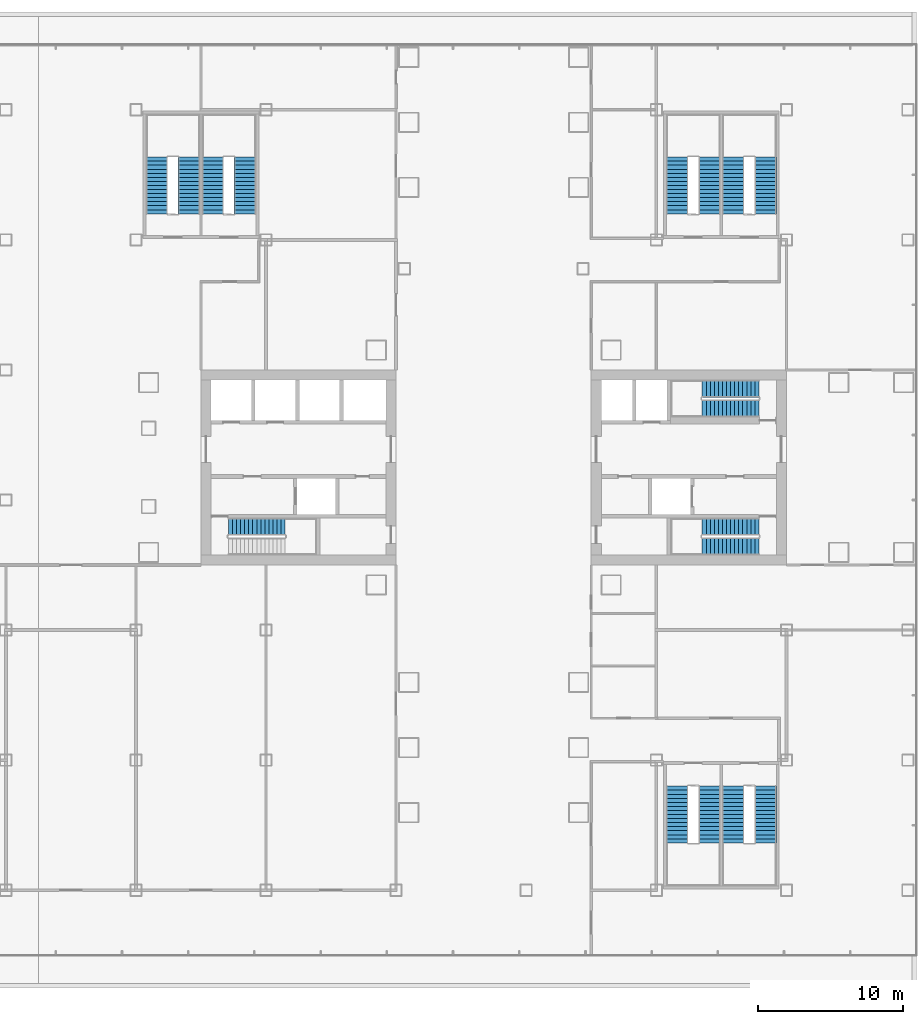
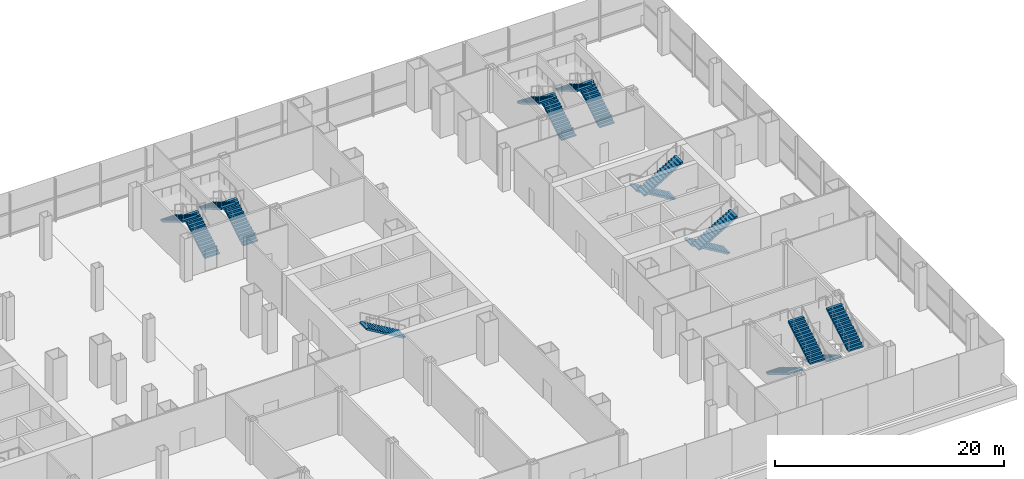
# One storey, part 28 of 33: 17 stair flights, 9 elements without a shape of their own.
"""IFC4 building model written with IfcOpenShell, lengths in metres."""

from ifc_helpers import new_model, si_unit, direction, frame, origin, place, context, subcontext, project, spatial, polyline, outline, extrude, material, type_object, element, aggregate, save


model = new_model("IFC4")

# Units and contexts
model_context = context("Model", 3, precision=1e-05, world=origin(), true_north=direction((0.0, 1.0)))
body_context = subcontext(model_context, "Body", "Model", "MODEL_VIEW")
ifc_project = project(units=[si_unit("LENGTHUNIT", "METRE"), si_unit("AREAUNIT", "SQUARE_METRE"), si_unit("VOLUMEUNIT", "CUBIC_METRE"), si_unit("PLANEANGLEUNIT", "RADIAN"), si_unit("MASSUNIT", "GRAM", prefix="KILO")], contexts=[model_context])

# Site, building, storey
site_placement = place(None, origin())
site = spatial("IfcSite", under=ifc_project, at=site_placement, CompositionType="ELEMENT")
building_placement = place(site_placement, origin())
building = spatial("IfcBuilding", under=site, at=building_placement, Name="Shamsa Quay Exchange Towers", CompositionType="ELEMENT")
storey_placement = place(building_placement, frame((0.0, 0.0, 18.5)))
storey = spatial("IfcBuildingStorey", under=building, at=storey_placement, Name="L03", CompositionType="ELEMENT", Elevation=18.5)

# Stair, stair flight
ifc_material = material(Name="Concrete C40/50", Category="concrete")
stair_type_1 = type_object("IfcStairType", Name="EXIT STAIR 30 RISERS 167 MM", PredefinedType="HALF_TURN_STAIR", material=ifc_material)
stair_1_placement = place(storey_placement, origin())
stair_1 = element("IfcStair", 1, at=stair_1_placement, inside=storey, type_object=stair_type_1, Name="L03 Exit stair ST4", PredefinedType="HALF_TURN_STAIR")
stair_flight_type_1 = type_object("IfcStairFlightType", Name="EXIT STAIR FLIGHT 15 RISERS 167 MM", PredefinedType="STRAIGHT", material=ifc_material)
stair_flight_1_placement = place(storey_placement, frame((19.320068359375, -4.10009765625, 2.5), z_axis=(0.0, 0.0, 1.0), x_axis=(-1.0, 0.0, 0.0)))
stair_flight_1 = element("IfcStairFlight", 2, at=stair_flight_1_placement, type_object=stair_flight_type_1, Name="ST4 flight 2", NumberOfRisers=15, NumberOfTreads=14, PredefinedType="STRAIGHT", RiserHeight=0.166666667, TreadLength=0.28, context=body_context, shape_type="SweptSolid", body=[
    extrude(outline(polyline([(0.0, 0.0), (0.0, 0.166748046875), (0.280029296875, 0.166748046875), (0.280029296875, 0.333251953125), (0.56005859375, 0.333251953125), (0.56005859375, 0.5), (0.840087890625, 0.5), (0.840087890625, 0.666748046875), (1.1201171875, 0.666748046875), (1.1201171875, 0.833251953125), (1.39990234375, 0.833251953125), (1.39990234375, 1.0), (1.679931640625, 1.0), (1.679931640625, 1.166748046875), (1.9599609375, 1.166748046875), (1.9599609375, 1.333251953125), (2.239990234375, 1.333251953125), (2.239990234375, 1.5), (2.52001953125, 1.5), (2.52001953125, 1.666748046875), (2.800048828125, 1.666748046875), (2.800048828125, 1.833251953125), (3.080078125, 1.833251953125), (3.080078125, 2.0), (3.360107421875, 2.0), (3.360107421875, 2.166748046875), (3.639892578125, 2.166748046875), (3.639892578125, 2.333251953125), (3.919921875, 2.333251953125), (3.919921875, 2.5), (3.919921875, 2.170654296875), (0.2734375, 0.0), (0.0, 0.0)])), frame((0.0, 0.60009765625, 0.0), z_axis=(0.0, -1.0, 0.0), x_axis=(1.0, 0.0, 0.0)), (0.0, 0.0, 1.0), 1.199951171875),
])
aggregate(stair_1, [stair_flight_1])

# Stair, stair flights
stair_2_placement = place(storey_placement, origin())
stair_2 = element("IfcStair", 3, at=stair_2_placement, inside=storey, type_object=stair_type_1, Name="L03 Exit stair ST5", PredefinedType="HALF_TURN_STAIR")
stair_flight_2_placement = place(storey_placement, frame((52.10009765625, -4.10009765625, 0.0), z_axis=(0.0, 0.0, 1.0), x_axis=(-1.0, 0.0, 0.0)))
stair_flight_2 = element("IfcStairFlight", 4, at=stair_flight_2_placement, type_object=stair_flight_type_1, Name="ST5 flight 1", NumberOfRisers=15, NumberOfTreads=14, PredefinedType="STRAIGHT", RiserHeight=0.166666667, TreadLength=0.28, context=body_context, shape_type="SweptSolid", body=[
    extrude(outline(polyline([(0.0, 0.0), (0.0, 0.166748046875), (0.280029296875, 0.166748046875), (0.280029296875, 0.333251953125), (0.56005859375, 0.333251953125), (0.56005859375, 0.5), (0.840087890625, 0.5), (0.840087890625, 0.666748046875), (1.1201171875, 0.666748046875), (1.1201171875, 0.833251953125), (1.39990234375, 0.833251953125), (1.39990234375, 1.0), (1.679931640625, 1.0), (1.679931640625, 1.166748046875), (1.9599609375, 1.166748046875), (1.9599609375, 1.333251953125), (2.239990234375, 1.333251953125), (2.239990234375, 1.5), (2.52001953125, 1.5), (2.52001953125, 1.666748046875), (2.800048828125, 1.666748046875), (2.800048828125, 1.833251953125), (3.080078125, 1.833251953125), (3.080078125, 2.0), (3.360107421875, 2.0), (3.360107421875, 2.166748046875), (3.639892578125, 2.166748046875), (3.639892578125, 2.333251953125), (3.919921875, 2.333251953125), (3.919921875, 2.5), (3.919921875, 2.170654296875), (0.2734375, 0.0), (0.0, 0.0)])), frame((0.0, 0.60009765625, 0.0), z_axis=(0.0, -1.0, 0.0), x_axis=(1.0, 0.0, 0.0)), (0.0, 0.0, 1.0), 1.199951171875),
])
stair_flight_3_placement = place(storey_placement, frame((48.179931640625, -5.449951171875, 2.5)))
stair_flight_3 = element("IfcStairFlight", 5, at=stair_flight_3_placement, type_object=stair_flight_type_1, Name="ST5 flight 2", NumberOfRisers=15, NumberOfTreads=14, PredefinedType="STRAIGHT", RiserHeight=0.166666667, TreadLength=0.28, context=body_context, shape_type="SweptSolid", body=[
    extrude(outline(polyline([(0.0, 0.0), (0.0, 0.166748046875), (0.280029296875, 0.166748046875), (0.280029296875, 0.333251953125), (0.56005859375, 0.333251953125), (0.56005859375, 0.5), (0.840087890625, 0.5), (0.840087890625, 0.666748046875), (1.1201171875, 0.666748046875), (1.1201171875, 0.833251953125), (1.39990234375, 0.833251953125), (1.39990234375, 1.0), (1.679931640625, 1.0), (1.679931640625, 1.166748046875), (1.9599609375, 1.166748046875), (1.9599609375, 1.333251953125), (2.239990234375, 1.333251953125), (2.239990234375, 1.5), (2.52001953125, 1.5), (2.52001953125, 1.666748046875), (2.800048828125, 1.666748046875), (2.800048828125, 1.833251953125), (3.080078125, 1.833251953125), (3.080078125, 2.0), (3.360107421875, 2.0), (3.360107421875, 2.166748046875), (3.639892578125, 2.166748046875), (3.639892578125, 2.333251953125), (3.919921875, 2.333251953125), (3.919921875, 2.5), (3.919921875, 2.170654296875), (0.2734375, 0.0), (0.0, 0.0)])), frame((0.0, 0.60009765625, 0.0), z_axis=(0.0, -1.0, 0.0), x_axis=(1.0, 0.0, 0.0)), (0.0, 0.0, 1.0), 1.199951171875),
])
aggregate(stair_2, [stair_flight_2, stair_flight_3])

stair_3_placement = place(storey_placement, origin())
stair_3 = element("IfcStair", 6, at=stair_3_placement, inside=storey, type_object=stair_type_1, Name="L03 Exit stair ST6", PredefinedType="HALF_TURN_STAIR")
stair_flight_4_placement = place(storey_placement, frame((52.10009765625, 5.449951171875, 0.0), z_axis=(0.0, 0.0, 1.0), x_axis=(-1.0, 0.0, 0.0)))
stair_flight_4 = element("IfcStairFlight", 7, at=stair_flight_4_placement, type_object=stair_flight_type_1, Name="ST6 flight 1", NumberOfRisers=15, NumberOfTreads=14, PredefinedType="STRAIGHT", RiserHeight=0.166666667, TreadLength=0.28, context=body_context, shape_type="SweptSolid", body=[
    extrude(outline(polyline([(0.0, 0.0), (0.0, 0.166748046875), (0.280029296875, 0.166748046875), (0.280029296875, 0.333251953125), (0.56005859375, 0.333251953125), (0.56005859375, 0.5), (0.840087890625, 0.5), (0.840087890625, 0.666748046875), (1.1201171875, 0.666748046875), (1.1201171875, 0.833251953125), (1.39990234375, 0.833251953125), (1.39990234375, 1.0), (1.679931640625, 1.0), (1.679931640625, 1.166748046875), (1.9599609375, 1.166748046875), (1.9599609375, 1.333251953125), (2.239990234375, 1.333251953125), (2.239990234375, 1.5), (2.52001953125, 1.5), (2.52001953125, 1.666748046875), (2.800048828125, 1.666748046875), (2.800048828125, 1.833251953125), (3.080078125, 1.833251953125), (3.080078125, 2.0), (3.360107421875, 2.0), (3.360107421875, 2.166748046875), (3.639892578125, 2.166748046875), (3.639892578125, 2.333251953125), (3.919921875, 2.333251953125), (3.919921875, 2.5), (3.919921875, 2.170654296875), (0.2734375, 0.0), (0.0, 0.0)])), frame((0.0, 0.60009765625, 0.0), z_axis=(0.0, -1.0, 0.0), x_axis=(1.0, 0.0, 0.0)), (0.0, 0.0, 1.0), 1.199951171875),
])
stair_flight_5_placement = place(storey_placement, frame((48.179931640625, 4.10009765625, 2.5)))
stair_flight_5 = element("IfcStairFlight", 8, at=stair_flight_5_placement, type_object=stair_flight_type_1, Name="ST6 flight 2", NumberOfRisers=15, NumberOfTreads=14, PredefinedType="STRAIGHT", RiserHeight=0.166666667, TreadLength=0.28, context=body_context, shape_type="SweptSolid", body=[
    extrude(outline(polyline([(0.0, 0.0), (0.0, 0.166748046875), (0.280029296875, 0.166748046875), (0.280029296875, 0.333251953125), (0.56005859375, 0.333251953125), (0.56005859375, 0.5), (0.840087890625, 0.5), (0.840087890625, 0.666748046875), (1.1201171875, 0.666748046875), (1.1201171875, 0.833251953125), (1.39990234375, 0.833251953125), (1.39990234375, 1.0), (1.679931640625, 1.0), (1.679931640625, 1.166748046875), (1.9599609375, 1.166748046875), (1.9599609375, 1.333251953125), (2.239990234375, 1.333251953125), (2.239990234375, 1.5), (2.52001953125, 1.5), (2.52001953125, 1.666748046875), (2.800048828125, 1.666748046875), (2.800048828125, 1.833251953125), (3.080078125, 1.833251953125), (3.080078125, 2.0), (3.360107421875, 2.0), (3.360107421875, 2.166748046875), (3.639892578125, 2.166748046875), (3.639892578125, 2.333251953125), (3.919921875, 2.333251953125), (3.919921875, 2.5), (3.919921875, 2.170654296875), (0.2734375, 0.0), (0.0, 0.0)])), frame((0.0, 0.60009765625, 0.0), z_axis=(0.0, -1.0, 0.0), x_axis=(1.0, 0.0, 0.0)), (0.0, 0.0, 1.0), 1.199951171875),
])
aggregate(stair_3, [stair_flight_4, stair_flight_5])

stair_type_2 = type_object("IfcStairType", Name="PODIUM EXIT STAIR 30 RISERS 167 MM 1500 WIDE", PredefinedType="HALF_TURN_STAIR", material=ifc_material)
stair_4_placement = place(storey_placement, origin())
stair_4 = element("IfcStair", 9, at=stair_4_placement, inside=storey, type_object=stair_type_2, Name="L03 Exit stair PS3A", PredefinedType="HALF_TURN_STAIR")
stair_flight_type_2 = type_object("IfcStairFlightType", Name="PODIUM EXIT STAIR FLIGHT 15 RISERS 167 MM 1500 WIDE", PredefinedType="STRAIGHT", material=ifc_material)
stair_flight_6_placement = place(storey_placement, frame((12.675048828125, 17.550048828125, 0.0), z_axis=(0.0, 0.0, 1.0), x_axis=(0.0, 1.0, 0.0)))
stair_flight_6 = element("IfcStairFlight", 10, at=stair_flight_6_placement, type_object=stair_flight_type_2, Name="PS3A flight 1", NumberOfRisers=15, NumberOfTreads=14, PredefinedType="STRAIGHT", RiserHeight=0.166666667, TreadLength=0.28, context=body_context, shape_type="SweptSolid", body=[
    extrude(outline(polyline([(0.0, 0.0), (0.0, 0.166748046875), (0.280029296875, 0.166748046875), (0.280029296875, 0.333251953125), (0.56005859375, 0.333251953125), (0.56005859375, 0.5), (0.840087890625, 0.5), (0.840087890625, 0.666748046875), (1.1201171875, 0.666748046875), (1.1201171875, 0.833251953125), (1.39990234375, 0.833251953125), (1.39990234375, 1.0), (1.679931640625, 1.0), (1.679931640625, 1.166748046875), (1.9599609375, 1.166748046875), (1.9599609375, 1.333251953125), (2.239990234375, 1.333251953125), (2.239990234375, 1.5), (2.52001953125, 1.5), (2.52001953125, 1.666748046875), (2.800048828125, 1.666748046875), (2.800048828125, 1.833251953125), (3.080078125, 1.833251953125), (3.080078125, 2.0), (3.360107421875, 2.0), (3.360107421875, 2.166748046875), (3.639892578125, 2.166748046875), (3.639892578125, 2.333251953125), (3.919921875, 2.333251953125), (3.919921875, 2.5), (3.919921875, 2.158935546875), (0.29296875, 0.0), (0.0, 0.0)])), frame((0.0, 0.75, 0.0), z_axis=(0.0, -1.0, 0.0), x_axis=(1.0, 0.0, 0.0)), (0.0, 0.0, 1.0), 1.5),
])
stair_flight_7_placement = place(storey_placement, frame((10.449951171875, 21.469970703125, 2.5), z_axis=(0.0, 0.0, 1.0), x_axis=(0.0, -1.0, 0.0)))
stair_flight_7 = element("IfcStairFlight", 11, at=stair_flight_7_placement, type_object=stair_flight_type_2, Name="PS3A flight 2", NumberOfRisers=15, NumberOfTreads=14, PredefinedType="STRAIGHT", RiserHeight=0.166666667, TreadLength=0.28, context=body_context, shape_type="SweptSolid", body=[
    extrude(outline(polyline([(0.0, 0.0), (0.0, 0.166748046875), (0.280029296875, 0.166748046875), (0.280029296875, 0.333251953125), (0.56005859375, 0.333251953125), (0.56005859375, 0.5), (0.840087890625, 0.5), (0.840087890625, 0.666748046875), (1.1201171875, 0.666748046875), (1.1201171875, 0.833251953125), (1.39990234375, 0.833251953125), (1.39990234375, 1.0), (1.679931640625, 1.0), (1.679931640625, 1.166748046875), (1.9599609375, 1.166748046875), (1.9599609375, 1.333251953125), (2.239990234375, 1.333251953125), (2.239990234375, 1.5), (2.52001953125, 1.5), (2.52001953125, 1.666748046875), (2.800048828125, 1.666748046875), (2.800048828125, 1.833251953125), (3.080078125, 1.833251953125), (3.080078125, 2.0), (3.360107421875, 2.0), (3.360107421875, 2.166748046875), (3.639892578125, 2.166748046875), (3.639892578125, 2.333251953125), (3.919921875, 2.333251953125), (3.919921875, 2.5), (3.919921875, 2.158935546875), (0.29296875, 0.0), (0.0, 0.0)])), frame((0.0, 0.75, 0.0), z_axis=(0.0, -1.0, 0.0), x_axis=(1.0, 0.0, 0.0)), (0.0, 0.0, 1.0), 1.5),
])
aggregate(stair_4, [stair_flight_6, stair_flight_7])

stair_5_placement = place(storey_placement, origin())
stair_5 = element("IfcStair", 12, at=stair_5_placement, inside=storey, type_object=stair_type_2, Name="L03 Exit stair PS3B", PredefinedType="HALF_TURN_STAIR")
stair_flight_8_placement = place(storey_placement, frame((16.550048828125, 17.550048828125, 0.0), z_axis=(0.0, 0.0, 1.0), x_axis=(0.0, 1.0, 0.0)))
stair_flight_8 = element("IfcStairFlight", 13, at=stair_flight_8_placement, type_object=stair_flight_type_2, Name="PS3B flight 1", NumberOfRisers=15, NumberOfTreads=14, PredefinedType="STRAIGHT", RiserHeight=0.166666667, TreadLength=0.28, context=body_context, shape_type="SweptSolid", body=[
    extrude(outline(polyline([(0.0, 0.0), (0.0, 0.166748046875), (0.280029296875, 0.166748046875), (0.280029296875, 0.333251953125), (0.56005859375, 0.333251953125), (0.56005859375, 0.5), (0.840087890625, 0.5), (0.840087890625, 0.666748046875), (1.1201171875, 0.666748046875), (1.1201171875, 0.833251953125), (1.39990234375, 0.833251953125), (1.39990234375, 1.0), (1.679931640625, 1.0), (1.679931640625, 1.166748046875), (1.9599609375, 1.166748046875), (1.9599609375, 1.333251953125), (2.239990234375, 1.333251953125), (2.239990234375, 1.5), (2.52001953125, 1.5), (2.52001953125, 1.666748046875), (2.800048828125, 1.666748046875), (2.800048828125, 1.833251953125), (3.080078125, 1.833251953125), (3.080078125, 2.0), (3.360107421875, 2.0), (3.360107421875, 2.166748046875), (3.639892578125, 2.166748046875), (3.639892578125, 2.333251953125), (3.919921875, 2.333251953125), (3.919921875, 2.5), (3.919921875, 2.158935546875), (0.29296875, 0.0), (0.0, 0.0)])), frame((0.0, 0.75, 0.0), z_axis=(0.0, -1.0, 0.0), x_axis=(1.0, 0.0, 0.0)), (0.0, 0.0, 1.0), 1.5),
])
stair_flight_9_placement = place(storey_placement, frame((14.324951171875, 21.469970703125, 2.5), z_axis=(0.0, 0.0, 1.0), x_axis=(0.0, -1.0, 0.0)))
stair_flight_9 = element("IfcStairFlight", 14, at=stair_flight_9_placement, type_object=stair_flight_type_2, Name="PS3B flight 2", NumberOfRisers=15, NumberOfTreads=14, PredefinedType="STRAIGHT", RiserHeight=0.166666667, TreadLength=0.28, context=body_context, shape_type="SweptSolid", body=[
    extrude(outline(polyline([(0.0, 0.0), (0.0, 0.166748046875), (0.280029296875, 0.166748046875), (0.280029296875, 0.333251953125), (0.56005859375, 0.333251953125), (0.56005859375, 0.5), (0.840087890625, 0.5), (0.840087890625, 0.666748046875), (1.1201171875, 0.666748046875), (1.1201171875, 0.833251953125), (1.39990234375, 0.833251953125), (1.39990234375, 1.0), (1.679931640625, 1.0), (1.679931640625, 1.166748046875), (1.9599609375, 1.166748046875), (1.9599609375, 1.333251953125), (2.239990234375, 1.333251953125), (2.239990234375, 1.5), (2.52001953125, 1.5), (2.52001953125, 1.666748046875), (2.800048828125, 1.666748046875), (2.800048828125, 1.833251953125), (3.080078125, 1.833251953125), (3.080078125, 2.0), (3.360107421875, 2.0), (3.360107421875, 2.166748046875), (3.639892578125, 2.166748046875), (3.639892578125, 2.333251953125), (3.919921875, 2.333251953125), (3.919921875, 2.5), (3.919921875, 2.158935546875), (0.29296875, 0.0), (0.0, 0.0)])), frame((0.0, 0.75, 0.0), z_axis=(0.0, -1.0, 0.0), x_axis=(1.0, 0.0, 0.0)), (0.0, 0.0, 1.0), 1.5),
])
aggregate(stair_5, [stair_flight_8, stair_flight_9])

stair_6_placement = place(storey_placement, origin())
stair_6 = element("IfcStair", 15, at=stair_6_placement, inside=storey, type_object=stair_type_2, Name="L03 Exit stair PS4A", PredefinedType="HALF_TURN_STAIR")
stair_flight_10_placement = place(storey_placement, frame((48.675048828125, 17.550048828125, 0.0), z_axis=(0.0, 0.0, 1.0), x_axis=(0.0, 1.0, 0.0)))
stair_flight_10 = element("IfcStairFlight", 16, at=stair_flight_10_placement, type_object=stair_flight_type_2, Name="PS4A flight 1", NumberOfRisers=15, NumberOfTreads=14, PredefinedType="STRAIGHT", RiserHeight=0.166666667, TreadLength=0.28, context=body_context, shape_type="SweptSolid", body=[
    extrude(outline(polyline([(0.0, 0.0), (0.0, 0.166748046875), (0.280029296875, 0.166748046875), (0.280029296875, 0.333251953125), (0.56005859375, 0.333251953125), (0.56005859375, 0.5), (0.840087890625, 0.5), (0.840087890625, 0.666748046875), (1.1201171875, 0.666748046875), (1.1201171875, 0.833251953125), (1.39990234375, 0.833251953125), (1.39990234375, 1.0), (1.679931640625, 1.0), (1.679931640625, 1.166748046875), (1.9599609375, 1.166748046875), (1.9599609375, 1.333251953125), (2.239990234375, 1.333251953125), (2.239990234375, 1.5), (2.52001953125, 1.5), (2.52001953125, 1.666748046875), (2.800048828125, 1.666748046875), (2.800048828125, 1.833251953125), (3.080078125, 1.833251953125), (3.080078125, 2.0), (3.360107421875, 2.0), (3.360107421875, 2.166748046875), (3.639892578125, 2.166748046875), (3.639892578125, 2.333251953125), (3.919921875, 2.333251953125), (3.919921875, 2.5), (3.919921875, 2.158935546875), (0.29296875, 0.0), (0.0, 0.0)])), frame((0.0, 0.75, 0.0), z_axis=(0.0, -1.0, 0.0), x_axis=(1.0, 0.0, 0.0)), (0.0, 0.0, 1.0), 1.5),
])
stair_flight_11_placement = place(storey_placement, frame((46.449951171875, 21.469970703125, 2.5), z_axis=(0.0, 0.0, 1.0), x_axis=(0.0, -1.0, 0.0)))
stair_flight_11 = element("IfcStairFlight", 17, at=stair_flight_11_placement, type_object=stair_flight_type_2, Name="PS4A flight 2", NumberOfRisers=15, NumberOfTreads=14, PredefinedType="STRAIGHT", RiserHeight=0.166666667, TreadLength=0.28, context=body_context, shape_type="SweptSolid", body=[
    extrude(outline(polyline([(0.0, 0.0), (0.0, 0.166748046875), (0.280029296875, 0.166748046875), (0.280029296875, 0.333251953125), (0.56005859375, 0.333251953125), (0.56005859375, 0.5), (0.840087890625, 0.5), (0.840087890625, 0.666748046875), (1.1201171875, 0.666748046875), (1.1201171875, 0.833251953125), (1.39990234375, 0.833251953125), (1.39990234375, 1.0), (1.679931640625, 1.0), (1.679931640625, 1.166748046875), (1.9599609375, 1.166748046875), (1.9599609375, 1.333251953125), (2.239990234375, 1.333251953125), (2.239990234375, 1.5), (2.52001953125, 1.5), (2.52001953125, 1.666748046875), (2.800048828125, 1.666748046875), (2.800048828125, 1.833251953125), (3.080078125, 1.833251953125), (3.080078125, 2.0), (3.360107421875, 2.0), (3.360107421875, 2.166748046875), (3.639892578125, 2.166748046875), (3.639892578125, 2.333251953125), (3.919921875, 2.333251953125), (3.919921875, 2.5), (3.919921875, 2.158935546875), (0.29296875, 0.0), (0.0, 0.0)])), frame((0.0, 0.75, 0.0), z_axis=(0.0, -1.0, 0.0), x_axis=(1.0, 0.0, 0.0)), (0.0, 0.0, 1.0), 1.5),
])
aggregate(stair_6, [stair_flight_10, stair_flight_11])

stair_7_placement = place(storey_placement, origin())
stair_7 = element("IfcStair", 18, at=stair_7_placement, inside=storey, type_object=stair_type_2, Name="L03 Exit stair PS4B", PredefinedType="HALF_TURN_STAIR")
stair_flight_12_placement = place(storey_placement, frame((52.550048828125, 17.550048828125, 0.0), z_axis=(0.0, 0.0, 1.0), x_axis=(0.0, 1.0, 0.0)))
stair_flight_12 = element("IfcStairFlight", 19, at=stair_flight_12_placement, type_object=stair_flight_type_2, Name="PS4B flight 1", NumberOfRisers=15, NumberOfTreads=14, PredefinedType="STRAIGHT", RiserHeight=0.166666667, TreadLength=0.28, context=body_context, shape_type="SweptSolid", body=[
    extrude(outline(polyline([(0.0, 0.0), (0.0, 0.166748046875), (0.280029296875, 0.166748046875), (0.280029296875, 0.333251953125), (0.56005859375, 0.333251953125), (0.56005859375, 0.5), (0.840087890625, 0.5), (0.840087890625, 0.666748046875), (1.1201171875, 0.666748046875), (1.1201171875, 0.833251953125), (1.39990234375, 0.833251953125), (1.39990234375, 1.0), (1.679931640625, 1.0), (1.679931640625, 1.166748046875), (1.9599609375, 1.166748046875), (1.9599609375, 1.333251953125), (2.239990234375, 1.333251953125), (2.239990234375, 1.5), (2.52001953125, 1.5), (2.52001953125, 1.666748046875), (2.800048828125, 1.666748046875), (2.800048828125, 1.833251953125), (3.080078125, 1.833251953125), (3.080078125, 2.0), (3.360107421875, 2.0), (3.360107421875, 2.166748046875), (3.639892578125, 2.166748046875), (3.639892578125, 2.333251953125), (3.919921875, 2.333251953125), (3.919921875, 2.5), (3.919921875, 2.158935546875), (0.29296875, 0.0), (0.0, 0.0)])), frame((0.0, 0.75, 0.0), z_axis=(0.0, -1.0, 0.0), x_axis=(1.0, 0.0, 0.0)), (0.0, 0.0, 1.0), 1.5),
])
stair_flight_13_placement = place(storey_placement, frame((50.324951171875, 21.469970703125, 2.5), z_axis=(0.0, 0.0, 1.0), x_axis=(0.0, -1.0, 0.0)))
stair_flight_13 = element("IfcStairFlight", 20, at=stair_flight_13_placement, type_object=stair_flight_type_2, Name="PS4B flight 2", NumberOfRisers=15, NumberOfTreads=14, PredefinedType="STRAIGHT", RiserHeight=0.166666667, TreadLength=0.28, context=body_context, shape_type="SweptSolid", body=[
    extrude(outline(polyline([(0.0, 0.0), (0.0, 0.166748046875), (0.280029296875, 0.166748046875), (0.280029296875, 0.333251953125), (0.56005859375, 0.333251953125), (0.56005859375, 0.5), (0.840087890625, 0.5), (0.840087890625, 0.666748046875), (1.1201171875, 0.666748046875), (1.1201171875, 0.833251953125), (1.39990234375, 0.833251953125), (1.39990234375, 1.0), (1.679931640625, 1.0), (1.679931640625, 1.166748046875), (1.9599609375, 1.166748046875), (1.9599609375, 1.333251953125), (2.239990234375, 1.333251953125), (2.239990234375, 1.5), (2.52001953125, 1.5), (2.52001953125, 1.666748046875), (2.800048828125, 1.666748046875), (2.800048828125, 1.833251953125), (3.080078125, 1.833251953125), (3.080078125, 2.0), (3.360107421875, 2.0), (3.360107421875, 2.166748046875), (3.639892578125, 2.166748046875), (3.639892578125, 2.333251953125), (3.919921875, 2.333251953125), (3.919921875, 2.5), (3.919921875, 2.158935546875), (0.29296875, 0.0), (0.0, 0.0)])), frame((0.0, 0.75, 0.0), z_axis=(0.0, -1.0, 0.0), x_axis=(1.0, 0.0, 0.0)), (0.0, 0.0, 1.0), 1.5),
])
aggregate(stair_7, [stair_flight_12, stair_flight_13])

stair_8_placement = place(storey_placement, origin())
stair_8 = element("IfcStair", 21, at=stair_8_placement, inside=storey, type_object=stair_type_2, Name="L03 Exit stair PS6A", PredefinedType="HALF_TURN_STAIR")
stair_flight_14_placement = place(storey_placement, frame((46.449951171875, -22.050048828125, 0.0), z_axis=(0.0, 0.0, 1.0), x_axis=(0.0, -1.0, 0.0)))
stair_flight_14 = element("IfcStairFlight", 22, at=stair_flight_14_placement, type_object=stair_flight_type_2, Name="PS6A flight 1", NumberOfRisers=15, NumberOfTreads=14, PredefinedType="STRAIGHT", RiserHeight=0.166666667, TreadLength=0.28, context=body_context, shape_type="SweptSolid", body=[
    extrude(outline(polyline([(0.0, 0.0), (0.0, 0.166748046875), (0.280029296875, 0.166748046875), (0.280029296875, 0.333251953125), (0.56005859375, 0.333251953125), (0.56005859375, 0.5), (0.840087890625, 0.5), (0.840087890625, 0.666748046875), (1.1201171875, 0.666748046875), (1.1201171875, 0.833251953125), (1.39990234375, 0.833251953125), (1.39990234375, 1.0), (1.679931640625, 1.0), (1.679931640625, 1.166748046875), (1.9599609375, 1.166748046875), (1.9599609375, 1.333251953125), (2.239990234375, 1.333251953125), (2.239990234375, 1.5), (2.52001953125, 1.5), (2.52001953125, 1.666748046875), (2.800048828125, 1.666748046875), (2.800048828125, 1.833251953125), (3.080078125, 1.833251953125), (3.080078125, 2.0), (3.360107421875, 2.0), (3.360107421875, 2.166748046875), (3.639892578125, 2.166748046875), (3.639892578125, 2.333251953125), (3.919921875, 2.333251953125), (3.919921875, 2.5), (3.919921875, 2.158935546875), (0.29296875, 0.0), (0.0, 0.0)])), frame((0.0, 0.75, 0.0), z_axis=(0.0, -1.0, 0.0), x_axis=(1.0, 0.0, 0.0)), (0.0, 0.0, 1.0), 1.5),
])
stair_flight_15_placement = place(storey_placement, frame((48.675048828125, -25.969970703125, 2.5), z_axis=(0.0, 0.0, 1.0), x_axis=(0.0, 1.0, 0.0)))
stair_flight_15 = element("IfcStairFlight", 23, at=stair_flight_15_placement, type_object=stair_flight_type_2, Name="PS6A flight 2", NumberOfRisers=15, NumberOfTreads=14, PredefinedType="STRAIGHT", RiserHeight=0.166666667, TreadLength=0.28, context=body_context, shape_type="SweptSolid", body=[
    extrude(outline(polyline([(0.0, 0.0), (0.0, 0.166748046875), (0.280029296875, 0.166748046875), (0.280029296875, 0.333251953125), (0.56005859375, 0.333251953125), (0.56005859375, 0.5), (0.840087890625, 0.5), (0.840087890625, 0.666748046875), (1.1201171875, 0.666748046875), (1.1201171875, 0.833251953125), (1.39990234375, 0.833251953125), (1.39990234375, 1.0), (1.679931640625, 1.0), (1.679931640625, 1.166748046875), (1.9599609375, 1.166748046875), (1.9599609375, 1.333251953125), (2.239990234375, 1.333251953125), (2.239990234375, 1.5), (2.52001953125, 1.5), (2.52001953125, 1.666748046875), (2.800048828125, 1.666748046875), (2.800048828125, 1.833251953125), (3.080078125, 1.833251953125), (3.080078125, 2.0), (3.360107421875, 2.0), (3.360107421875, 2.166748046875), (3.639892578125, 2.166748046875), (3.639892578125, 2.333251953125), (3.919921875, 2.333251953125), (3.919921875, 2.5), (3.919921875, 2.158935546875), (0.29296875, 0.0), (0.0, 0.0)])), frame((0.0, 0.75, 0.0), z_axis=(0.0, -1.0, 0.0), x_axis=(1.0, 0.0, 0.0)), (0.0, 0.0, 1.0), 1.5),
])
aggregate(stair_8, [stair_flight_14, stair_flight_15])

stair_9_placement = place(storey_placement, origin())
stair_9 = element("IfcStair", 24, at=stair_9_placement, inside=storey, type_object=stair_type_2, Name="L03 Exit stair PS6B", PredefinedType="HALF_TURN_STAIR")
stair_flight_16_placement = place(storey_placement, frame((50.324951171875, -22.050048828125, 0.0), z_axis=(0.0, 0.0, 1.0), x_axis=(0.0, -1.0, 0.0)))
stair_flight_16 = element("IfcStairFlight", 25, at=stair_flight_16_placement, type_object=stair_flight_type_2, Name="PS6B flight 1", NumberOfRisers=15, NumberOfTreads=14, PredefinedType="STRAIGHT", RiserHeight=0.166666667, TreadLength=0.28, context=body_context, shape_type="SweptSolid", body=[
    extrude(outline(polyline([(0.0, 0.0), (0.0, 0.166748046875), (0.280029296875, 0.166748046875), (0.280029296875, 0.333251953125), (0.56005859375, 0.333251953125), (0.56005859375, 0.5), (0.840087890625, 0.5), (0.840087890625, 0.666748046875), (1.1201171875, 0.666748046875), (1.1201171875, 0.833251953125), (1.39990234375, 0.833251953125), (1.39990234375, 1.0), (1.679931640625, 1.0), (1.679931640625, 1.166748046875), (1.9599609375, 1.166748046875), (1.9599609375, 1.333251953125), (2.239990234375, 1.333251953125), (2.239990234375, 1.5), (2.52001953125, 1.5), (2.52001953125, 1.666748046875), (2.800048828125, 1.666748046875), (2.800048828125, 1.833251953125), (3.080078125, 1.833251953125), (3.080078125, 2.0), (3.360107421875, 2.0), (3.360107421875, 2.166748046875), (3.639892578125, 2.166748046875), (3.639892578125, 2.333251953125), (3.919921875, 2.333251953125), (3.919921875, 2.5), (3.919921875, 2.158935546875), (0.29296875, 0.0), (0.0, 0.0)])), frame((0.0, 0.75, 0.0), z_axis=(0.0, -1.0, 0.0), x_axis=(1.0, 0.0, 0.0)), (0.0, 0.0, 1.0), 1.5),
])
stair_flight_17_placement = place(storey_placement, frame((52.550048828125, -25.969970703125, 2.5), z_axis=(0.0, 0.0, 1.0), x_axis=(0.0, 1.0, 0.0)))
stair_flight_17 = element("IfcStairFlight", 26, at=stair_flight_17_placement, type_object=stair_flight_type_2, Name="PS6B flight 2", NumberOfRisers=15, NumberOfTreads=14, PredefinedType="STRAIGHT", RiserHeight=0.166666667, TreadLength=0.28, context=body_context, shape_type="SweptSolid", body=[
    extrude(outline(polyline([(0.0, 0.0), (0.0, 0.166748046875), (0.280029296875, 0.166748046875), (0.280029296875, 0.333251953125), (0.56005859375, 0.333251953125), (0.56005859375, 0.5), (0.840087890625, 0.5), (0.840087890625, 0.666748046875), (1.1201171875, 0.666748046875), (1.1201171875, 0.833251953125), (1.39990234375, 0.833251953125), (1.39990234375, 1.0), (1.679931640625, 1.0), (1.679931640625, 1.166748046875), (1.9599609375, 1.166748046875), (1.9599609375, 1.333251953125), (2.239990234375, 1.333251953125), (2.239990234375, 1.5), (2.52001953125, 1.5), (2.52001953125, 1.666748046875), (2.800048828125, 1.666748046875), (2.800048828125, 1.833251953125), (3.080078125, 1.833251953125), (3.080078125, 2.0), (3.360107421875, 2.0), (3.360107421875, 2.166748046875), (3.639892578125, 2.166748046875), (3.639892578125, 2.333251953125), (3.919921875, 2.333251953125), (3.919921875, 2.5), (3.919921875, 2.158935546875), (0.29296875, 0.0), (0.0, 0.0)])), frame((0.0, 0.75, 0.0), z_axis=(0.0, -1.0, 0.0), x_axis=(1.0, 0.0, 0.0)), (0.0, 0.0, 1.0), 1.5),
])
aggregate(stair_9, [stair_flight_16, stair_flight_17])

save(model, "model.ifc")
